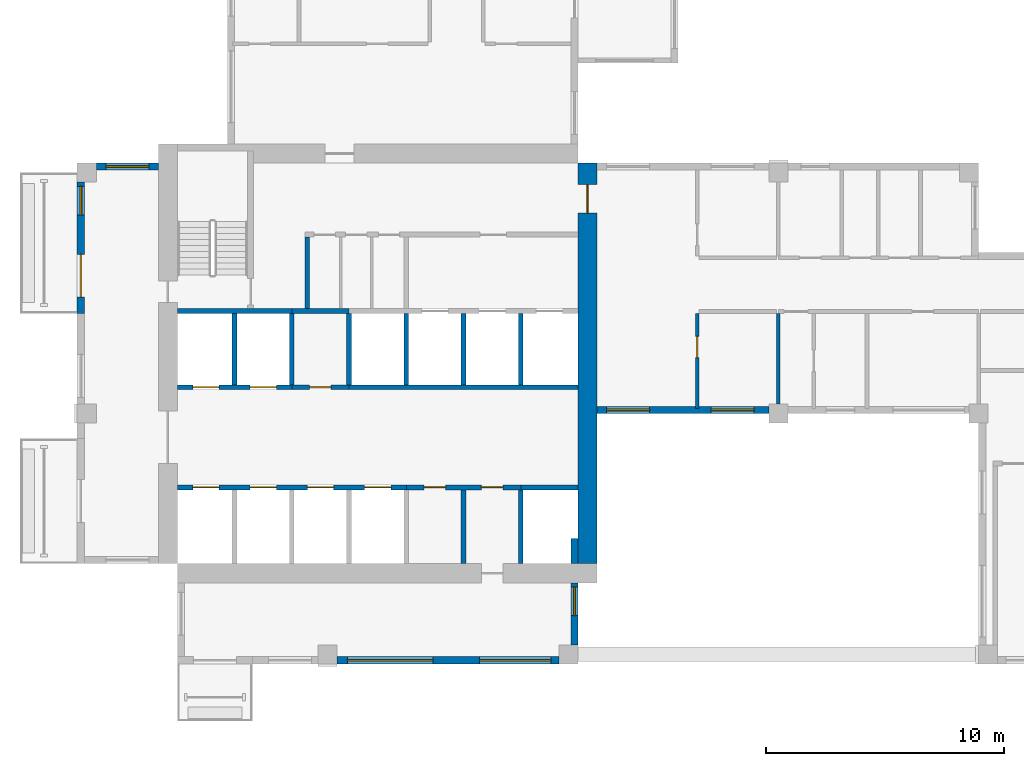
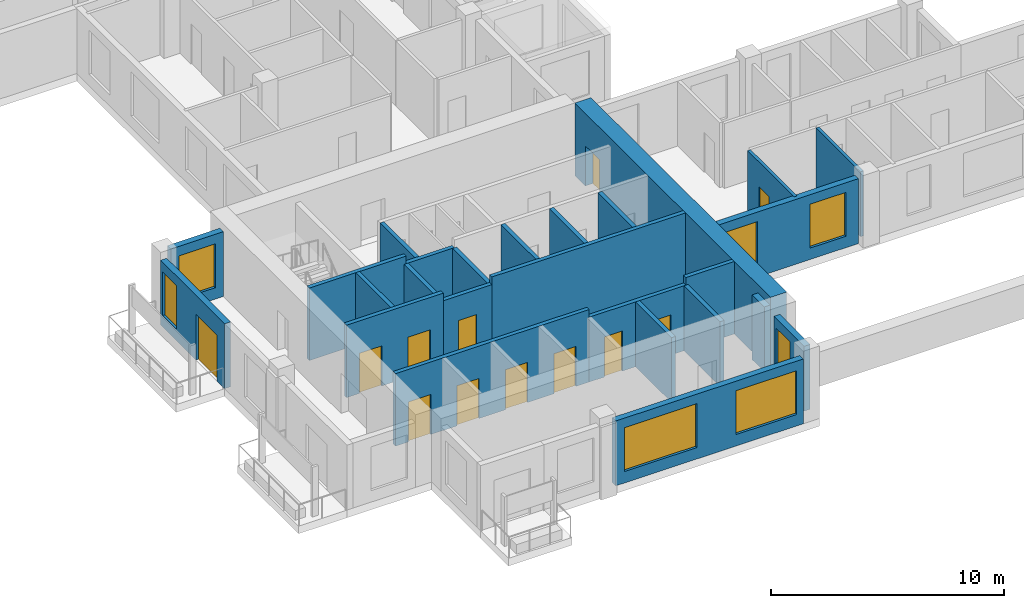
# One storey, part 2 of 11: 26 walls, 12 doors, 7 windows, 19 openings.
"""IFC4 building model written with IfcOpenShell, lengths in metres."""

import ifcopenshell
import ifcopenshell.guid

model = None  # the IFC model being written
_history = None  # IfcOwnerHistory: only IFC2X3 demands one
_inside = {}  # id of a spatial element -> (the spatial element, [elements in it])
_under = {}  # id of a project, library or spatial element -> (it, [spatial elements below it])
_declared = {}  # id of a project -> (the project, [libraries it declares])
_typed = {}  # id of a type object -> (the type object, [elements of that type])
_made_of = {}  # id of a material, layer set ... -> (it, [elements and type objects made of it])


def new_model(schema):
    """Start an empty IFC model of exactly this schema.

    Asked for "IFC4X3", IfcOpenShell would pick the latest addendum, in which some entities
    have other attributes; the version numbers below select the first issue.
    IFC2X3 requires an IfcOwnerHistory on every rooted entity: one is made here for all.
    """
    global model, _history
    if schema == "IFC4X3":
        model = ifcopenshell.file(schema_version=(4, 3, 0, 0))
    else:
        model = ifcopenshell.file(schema=schema)
    _inside.clear()
    _under.clear()
    _declared.clear()
    _typed.clear()
    _made_of.clear()
    _history = None
    if model.schema == "IFC2X3":
        org = make("IfcOrganization", Name="unknown")
        user = make(
            "IfcPersonAndOrganization",
            ThePerson=make("IfcPerson", FamilyName="unknown"),
            TheOrganization=org,
        )
        app = make(
            "IfcApplication",
            ApplicationDeveloper=org,
            Version="unknown",
            ApplicationFullName="unknown",
            ApplicationIdentifier="unknown",
        )
        _history = make(
            "IfcOwnerHistory",
            OwningUser=user,
            OwningApplication=app,
            ChangeAction="ADDED",
            CreationDate=0,
        )
    return model


def make(cls, **values):
    """One entity of the class cls with the attributes given. An attribute that is None is left unset."""
    return model.create_entity(
        cls, **{name: value for name, value in values.items() if value is not None}
    )


def rooted(cls, **values):
    """An entity with a GlobalId (a new one), such as an element, a storey or a relation."""
    return make(cls, GlobalId=ifcopenshell.guid.new(), OwnerHistory=_history, **values)


def si_unit(unit_type, name, prefix=None):
    """IfcSIUnit, for example si_unit("LENGTHUNIT", "METRE", prefix="MILLI")."""
    return make("IfcSIUnit", UnitType=unit_type, Prefix=prefix, Name=name)


def assignment(units):
    """IfcUnitAssignment: the units of a project."""
    return None if units is None else make("IfcUnitAssignment", Units=units)


def point(xyz):
    """IfcCartesianPoint."""
    return None if xyz is None else make("IfcCartesianPoint", Coordinates=xyz)


def direction(xyz):
    """IfcDirection."""
    return None if xyz is None else make("IfcDirection", DirectionRatios=xyz)


def frame(location, z_axis=None, x_axis=None):
    """IfcAxis2Placement3D, a coordinate frame: its origin and axes. An axis left out is left unset."""
    return make(
        "IfcAxis2Placement3D",
        Location=point(location),
        Axis=direction(z_axis),
        RefDirection=direction(x_axis),
    )


def frame_2d(location, x_axis=None):
    """IfcAxis2Placement2D, a coordinate frame in the plane: its origin and x axis."""
    return make(
        "IfcAxis2Placement2D", Location=point(location), RefDirection=direction(x_axis)
    )


def origin():
    """The frame at (0, 0, 0) with its axes left unset."""
    return frame((0.0, 0.0, 0.0))


def place(relative_to, where):
    """IfcLocalPlacement: puts the frame where relative to a parent placement (None: the world)."""
    return make(
        "IfcLocalPlacement", PlacementRelTo=relative_to, RelativePlacement=where
    )


def context(
    kind, dimensions, precision=None, world=None, true_north=None, identifier=None
):
    """IfcGeometricRepresentationContext, for example the 3D "Model" context."""
    return make(
        "IfcGeometricRepresentationContext",
        ContextIdentifier=identifier,
        ContextType=kind,
        CoordinateSpaceDimension=dimensions,
        Precision=precision,
        WorldCoordinateSystem=world,
        TrueNorth=true_north,
    )


def subcontext(parent, identifier, kind, view, scale=None):
    """IfcGeometricRepresentationSubContext, for example "Body" below "Model"."""
    return make(
        "IfcGeometricRepresentationSubContext",
        ContextIdentifier=identifier,
        ContextType=kind,
        ParentContext=parent,
        TargetScale=scale,
        TargetView=view,
    )


def project(units=None, contexts=None):
    """IfcProject with its units and contexts."""
    return rooted(
        "IfcProject",
        Name="project",
        RepresentationContexts=contexts,
        UnitsInContext=assignment(units),
    )


def spatial(cls, under=None, at=None, **own):
    """A site, building, storey or space (cls), placed at a placement, below another one or the project."""
    s = rooted(cls, ObjectPlacement=at, **own)
    if under is not None:
        _under.setdefault(under.id(), (under, []))[1].append(s)
    return s


def profile(cls, at=None, kind="AREA", **sizes):
    """A parametric profile (cls). Its sizes go by their IFC names, for example OverallWidth=200.0."""
    return make(cls, ProfileType=kind, Position=at, **sizes)


def rectangle(**sizes):
    """IfcRectangleProfileDef."""
    return profile("IfcRectangleProfileDef", **sizes)


def extrude(swept, where, along, depth):
    """IfcExtrudedAreaSolid: the profile swept, set in the frame where, extruded along a direction by depth."""
    return make(
        "IfcExtrudedAreaSolid",
        SweptArea=swept,
        Position=where,
        ExtrudedDirection=direction(along),
        Depth=depth,
    )


def shape(context_of_items, identifier, shape_type, items):
    """IfcShapeRepresentation: the items that make up one representation, for example the "Body"."""
    return make(
        "IfcShapeRepresentation",
        ContextOfItems=context_of_items,
        RepresentationIdentifier=identifier,
        RepresentationType=shape_type,
        Items=items,
    )


def source(mapping_origin, context_of_items, identifier, shape_type, items):
    """IfcRepresentationMap: a shape defined once, which mapped items show again and again."""
    return make(
        "IfcRepresentationMap",
        MappingOrigin=mapping_origin,
        MappedRepresentation=shape(context_of_items, identifier, shape_type, items),
    )


def transform(
    local_origin,
    x_axis=None,
    y_axis=None,
    z_axis=None,
    scale=None,
    scale2=None,
    scale3=None,
    uniform=True,
):
    """IfcCartesianTransformationOperator3D, or its non-uniform kind. x_axis, y_axis, z_axis: its Axis1, 2, 3."""
    if uniform:
        return make(
            "IfcCartesianTransformationOperator3D",
            Axis1=direction(x_axis),
            Axis2=direction(y_axis),
            LocalOrigin=point(local_origin),
            Scale=scale,
            Axis3=direction(z_axis),
        )
    return make(
        "IfcCartesianTransformationOperator3DnonUniform",
        Axis1=direction(x_axis),
        Axis2=direction(y_axis),
        LocalOrigin=point(local_origin),
        Scale=scale,
        Axis3=direction(z_axis),
        Scale2=scale2,
        Scale3=scale3,
    )


def mapped(mapping_source, mapping_target):
    """IfcMappedItem: shows the shape of a source again, moved by a transform."""
    return make(
        "IfcMappedItem", MappingSource=mapping_source, MappingTarget=mapping_target
    )


def material(Name=None, Category=None):
    """IfcMaterial."""
    return make("IfcMaterial", Name=Name, Category=Category)


def layer(
    of_material, thickness, ventilated=None, Name=None, Category=None, Priority=None
):
    """IfcMaterialLayer: one layer of a wall or slab, of a material (None: an air gap)."""
    return make(
        "IfcMaterialLayer",
        Material=of_material,
        LayerThickness=thickness,
        IsVentilated=ventilated,
        Name=Name,
        Category=Category,
        Priority=Priority,
    )


def layer_set(layers, Name=None):
    """IfcMaterialLayerSet."""
    return make("IfcMaterialLayerSet", MaterialLayers=layers, LayerSetName=Name)


def made_of(thing, what):
    """Note that an element or type object is made of a material, layer set ...; save() writes the relation."""
    if what is not None:
        _made_of.setdefault(what.id(), (what, []))[1].append(thing)
    return thing


def type_object(cls, material=None, **own):
    """A type object (cls), such as IfcWallType, which elements share."""
    return made_of(rooted(cls, **own), material)


def element(
    cls,
    number,
    at=None,
    inside=None,
    cuts=None,
    type_object=None,
    material=None,
    context=None,
    identifier="Body",
    shape_type=None,
    held_by="IfcProductDefinitionShape",
    body=None,
    shapes=None,
    **own,
):
    """One element of the class cls, such as IfcWall. Its Tag is "e" and its number.

    at: its placement. inside: the storey or other place that contains it. cuts: it is an
    opening in that element (IfcRelVoidsElement). A single representation is given by context,
    identifier, shape_type and body (its items); several are given by shapes. held_by: the class
    of the entity that holds the representations. save() writes the other relations.
    """
    e = rooted(cls, Tag="e%d" % number, ObjectPlacement=at, **own)
    if body is not None:
        shapes = [shape(context, identifier, shape_type, body)]
    if shapes is not None:
        e.Representation = make(held_by, Representations=shapes)
    if inside is not None:
        _inside.setdefault(inside.id(), (inside, []))[1].append(e)
    if cuts is not None:
        rooted(
            "IfcRelVoidsElement", RelatingBuildingElement=cuts, RelatedOpeningElement=e
        )
    if type_object is not None:
        _typed.setdefault(type_object.id(), (type_object, []))[1].append(e)
    return made_of(e, material)


def fill(opening, filler):
    """IfcRelFillsElement: the door or window that sits in an opening."""
    return rooted(
        "IfcRelFillsElement",
        RelatingOpeningElement=opening,
        RelatedBuildingElement=filler,
    )


def aggregate(whole, parts):
    """IfcRelAggregates: a whole, such as a stair, and the parts it consists of."""
    return rooted("IfcRelAggregates", RelatingObject=whole, RelatedObjects=parts)


def save(model, path):
    """Write the relations noted so far, then the file.

    IfcRelAggregates (storeys below a building ...), IfcRelContainedInSpatialStructure (elements
    in a storey), IfcRelDefinesByType, IfcRelAssociatesMaterial and IfcRelDeclares: one each for
    every whole, place, type object, material and project.
    """
    for whole, parts in _under.values():
        aggregate(whole, parts)
    for where, things in _inside.values():
        rooted(
            "IfcRelContainedInSpatialStructure",
            RelatedElements=things,
            RelatingStructure=where,
        )
    for kind, things in _typed.values():
        rooted("IfcRelDefinesByType", RelatedObjects=things, RelatingType=kind)
    for what, things in _made_of.values():
        rooted("IfcRelAssociatesMaterial", RelatedObjects=things, RelatingMaterial=what)
    for by, libraries in _declared.values():
        rooted("IfcRelDeclares", RelatingContext=by, RelatedDefinitions=libraries)
    model.write(path)


model = new_model("IFC4")

# Units and contexts
model_context = context("Model", 3, precision=1e-05, world=origin(), true_north=direction((0.0, 1.0)))
body_context = subcontext(model_context, "Body", "Model", "MODEL_VIEW")
ifc_project = project(units=[si_unit("LENGTHUNIT", "METRE"), si_unit("AREAUNIT", "SQUARE_METRE"), si_unit("VOLUMEUNIT", "CUBIC_METRE"), si_unit("PLANEANGLEUNIT", "RADIAN"), si_unit("MASSUNIT", "GRAM", prefix="KILO")], contexts=[model_context])

# Site, building, storey
site_placement = place(None, origin())
site = spatial("IfcSite", under=ifc_project, at=site_placement, CompositionType="ELEMENT")
building_placement = place(site_placement, origin())
building = spatial("IfcBuilding", under=site, at=building_placement, Name="Aurelian Terraces", CompositionType="ELEMENT")
storey_placement = place(building_placement, frame((0.0, 0.0, 261.4)))
storey = spatial("IfcBuildingStorey", under=building, at=storey_placement, Name="L60", CompositionType="ELEMENT", Elevation=261.4)

# Wall, opening, door
ifc_material_1 = material(Name="Concrete fc' 70 MPa", Category="concrete")
ifc_layer_1 = layer(ifc_material_1, 0.8)
ifc_layer_set_1 = layer_set([ifc_layer_1], Name="CORE WALL 800 FC70")
wall_type_1 = type_object("IfcWallType", Name="CORE WALL 800 FC70", PredefinedType="SHEAR", material=ifc_layer_set_1)
shared_shape_1 = source(origin(), body_context, "Body", "SweptSolid", [
    extrude(rectangle(XDim=16.8, YDim=0.8, at=frame_2d((8.4, 0.0))), origin(), (0.0, 0.0, 1.0), 3.8),
])
wall_1_placement = place(storey_placement, frame((21.4, 4.2, 0.0), z_axis=(0.0, 0.0, 1.0), x_axis=(0.0, 1.0, 0.0)))
wall_1 = element("IfcWall", 1, at=wall_1_placement, inside=storey, type_object=wall_type_1, Name="Core wall E L60", PredefinedType="SHEAR", context=body_context, shape_type="MappedRepresentation", body=[
    mapped(shared_shape_1, transform((0.0, 0.0, 0.0), scale=1.0)),
])
shared_shape_2 = source(origin(), body_context, "Body", "SweptSolid", [
    extrude(rectangle(XDim=1.2, YDim=2.1, at=frame_2d((0.6, 1.05))), frame((0.0, 0.41, 0.0), z_axis=(0.0, -1.0, 0.0), x_axis=(1.0, 0.0, 0.0)), (0.0, 0.0, 1.0), 0.82),
])
opening_1_placement = place(wall_1_placement, frame((14.7, 0.0, 0.0)))
opening_1 = element("IfcOpeningElement", 2, at=opening_1_placement, cuts=wall_1, Name="Opening 66325", PredefinedType="OPENING", context=body_context, shape_type="MappedRepresentation", body=[
    mapped(shared_shape_2, transform((0.0, 0.0, 0.0), scale=1.0)),
])
ifc_material_2 = material(Name="Steel door leaf", Category="steel")
door_type_1 = type_object("IfcDoorType", Name="Core fire door 1200x2100 right", OperationType="SINGLE_SWING_RIGHT", PredefinedType="DOOR", material=ifc_material_2)
shared_shape_3 = source(origin(), body_context, "Body", "SweptSolid", [
    extrude(rectangle(XDim=1.2, YDim=2.1, at=frame_2d((0.6, 1.05))), frame((0.0, 0.025, 0.0), z_axis=(0.0, -1.0, 0.0), x_axis=(1.0, 0.0, 0.0)), (0.0, 0.0, 1.0), 0.05),
])
door_1_placement = place(opening_1_placement, origin())
door_1 = element("IfcDoor", 3, at=door_1_placement, inside=storey, type_object=door_type_1, Name="Core door 66325", OperationType="SINGLE_SWING_RIGHT", OverallHeight=2.1, OverallWidth=1.2, PredefinedType="DOOR", context=body_context, shape_type="MappedRepresentation", body=[
    mapped(shared_shape_3, transform((0.0, 0.0, 0.0), scale=1.0)),
])
fill(opening_1, door_1)

# Wall
ifc_material_3 = material(Name="Terracotta rainscreen cladding", Category="masonry")
ifc_layer_2 = layer(ifc_material_3, 0.3)
ifc_layer_set_2 = layer_set([ifc_layer_2], Name="EW-300")
wall_type_2 = type_object("IfcWallType", Name="EW-300", PredefinedType="STANDARD", material=ifc_layer_set_2)
shared_shape_4 = source(origin(), body_context, "Body", "SweptSolid", [
    extrude(rectangle(XDim=1.05, YDim=0.3, at=frame_2d((0.525, 0.0))), origin(), (0.0, 0.0, 1.0), 3.4),
])
wall_2_placement = place(storey_placement, frame((20.85, 4.2, 0.0), z_axis=(0.0, 0.0, 1.0), x_axis=(0.0, 1.0, 0.0)))
element("IfcWall", 4, at=wall_2_placement, inside=storey, type_object=wall_type_2, Name="External wall L60 F02.4", PredefinedType="STANDARD", context=body_context, shape_type="MappedRepresentation", body=[
    mapped(shared_shape_4, transform((0.0, 0.0, 0.0), scale=1.0)),
])

# Wall, openings, windows
shared_shape_5 = source(origin(), body_context, "Body", "SweptSolid", [
    extrude(rectangle(XDim=7.2, YDim=0.3, at=frame_2d((3.6, 0.0))), origin(), (0.0, 0.0, 1.0), 3.4),
])
wall_3_placement = place(storey_placement, frame((21.8, 10.65, 0.0), z_axis=(0.0, 0.0, 1.0), x_axis=(1.0, 0.0, 0.0)))
wall_3 = element("IfcWall", 5, at=wall_3_placement, inside=storey, type_object=wall_type_2, Name="External wall L60 F03.6", PredefinedType="STANDARD", context=body_context, shape_type="MappedRepresentation", body=[
    mapped(shared_shape_5, transform((0.0, 0.0, 0.0), scale=1.0)),
])
shared_shape_6 = source(origin(), body_context, "Body", "SweptSolid", [
    extrude(rectangle(XDim=1.8, YDim=2.3, at=frame_2d((0.9, 1.15))), frame((0.0, 0.16, 0.0), z_axis=(0.0, -1.0, 0.0), x_axis=(1.0, 0.0, 0.0)), (0.0, 0.0, 1.0), 0.32),
])
opening_2_placement = place(wall_3_placement, frame((0.4, 0.0, 0.6)))
opening_2 = element("IfcOpeningElement", 6, at=opening_2_placement, cuts=wall_3, Name="Opening W1823", PredefinedType="OPENING", context=body_context, shape_type="MappedRepresentation", body=[
    mapped(shared_shape_6, transform((0.0, 0.0, 0.0), scale=1.0)),
])
opening_3_placement = place(wall_3_placement, frame((4.7875, 0.0, 0.6)))
opening_3 = element("IfcOpeningElement", 7, at=opening_3_placement, cuts=wall_3, Name="Opening W1823", PredefinedType="OPENING", context=body_context, shape_type="MappedRepresentation", body=[
    mapped(shared_shape_6, transform((0.0, 0.0, 0.0), scale=1.0)),
])
ifc_material_4 = material(Name="Clear glazing", Category="glass")
window_type_1 = type_object("IfcWindowType", Name="W-1800x2300", PartitioningType="SINGLE_PANEL", PredefinedType="WINDOW", material=ifc_material_4)
shared_shape_7 = source(origin(), body_context, "Body", "SweptSolid", [
    extrude(rectangle(XDim=1.8, YDim=2.3, at=frame_2d((0.9, 1.15))), frame((0.0, 0.03, 0.0), z_axis=(0.0, -1.0, 0.0), x_axis=(1.0, 0.0, 0.0)), (0.0, 0.0, 1.0), 0.06),
])
window_1_placement = place(opening_2_placement, origin())
window_1 = element("IfcWindow", 8, at=window_1_placement, inside=storey, type_object=window_type_1, Name="Window L60 L60-F03-06-0", OverallHeight=2.3, OverallWidth=1.8, PartitioningType="SINGLE_PANEL", PredefinedType="WINDOW", context=body_context, shape_type="MappedRepresentation", body=[
    mapped(shared_shape_7, transform((0.0, 0.0, 0.0), scale=1.0)),
])
fill(opening_2, window_1)
window_2_placement = place(opening_3_placement, origin())
window_2 = element("IfcWindow", 9, at=window_2_placement, inside=storey, type_object=window_type_1, Name="Window L60 L60-F03-06-1", OverallHeight=2.3, OverallWidth=1.8, PartitioningType="SINGLE_PANEL", PredefinedType="WINDOW", context=body_context, shape_type="MappedRepresentation", body=[
    mapped(shared_shape_7, transform((0.0, 0.0, 0.0), scale=1.0)),
])
fill(opening_3, window_2)

# Wall, opening, window
shared_shape_8 = source(origin(), body_context, "Body", "SweptSolid", [
    extrude(rectangle(XDim=2.6, YDim=0.3, at=frame_2d((1.3, 0.0))), origin(), (0.0, 0.0, 1.0), 3.4),
])
wall_4_placement = place(storey_placement, frame((20.85, 0.8, 0.0), z_axis=(0.0, 0.0, 1.0), x_axis=(0.0, 1.0, 0.0)))
wall_4 = element("IfcWall", 10, at=wall_4_placement, inside=storey, type_object=wall_type_2, Name="External wall L60 F02.4", PredefinedType="STANDARD", context=body_context, shape_type="MappedRepresentation", body=[
    mapped(shared_shape_8, transform((0.0, 0.0, 0.0), scale=1.0)),
])
shared_shape_9 = source(origin(), body_context, "Body", "SweptSolid", [
    extrude(rectangle(XDim=1.2, YDim=2.3, at=frame_2d((0.6, 1.15))), frame((0.0, 0.16, 0.0), z_axis=(0.0, -1.0, 0.0), x_axis=(1.0, 0.0, 0.0)), (0.0, 0.0, 1.0), 0.32),
])
opening_4_placement = place(wall_4_placement, frame((1.225, 0.0, 0.6)))
opening_4 = element("IfcOpeningElement", 11, at=opening_4_placement, cuts=wall_4, Name="Opening W1223", PredefinedType="OPENING", context=body_context, shape_type="MappedRepresentation", body=[
    mapped(shared_shape_9, transform((0.0, 0.0, 0.0), scale=1.0)),
])
window_type_2 = type_object("IfcWindowType", Name="W-1200x2300", PartitioningType="SINGLE_PANEL", PredefinedType="WINDOW", material=ifc_material_4)
shared_shape_10 = source(origin(), body_context, "Body", "SweptSolid", [
    extrude(rectangle(XDim=1.2, YDim=2.3, at=frame_2d((0.6, 1.15))), frame((0.0, 0.03, 0.0), z_axis=(0.0, -1.0, 0.0), x_axis=(1.0, 0.0, 0.0)), (0.0, 0.0, 1.0), 0.06),
])
window_3_placement = place(opening_4_placement, origin())
window_3 = element("IfcWindow", 12, at=window_3_placement, inside=storey, type_object=window_type_2, Name="Window L60 L60-F02-04-0", OverallHeight=2.3, OverallWidth=1.2, PartitioningType="SINGLE_PANEL", PredefinedType="WINDOW", context=body_context, shape_type="MappedRepresentation", body=[
    mapped(shared_shape_10, transform((0.0, 0.0, 0.0), scale=1.0)),
])
fill(opening_4, window_3)

wall_5_placement = place(storey_placement, frame((3.4, 20.85, 0.0), z_axis=(0.0, 0.0, 1.0), x_axis=(-1.0, 0.0, 0.0)))
wall_5 = element("IfcWall", 13, at=wall_5_placement, inside=storey, type_object=wall_type_2, Name="External wall L60 F23.36", PredefinedType="STANDARD", context=body_context, shape_type="MappedRepresentation", body=[
    mapped(shared_shape_8, transform((0.0, 0.0, 0.0), scale=1.0)),
])
opening_5_placement = place(wall_5_placement, frame((0.4, 0.0, 0.6)))
opening_5 = element("IfcOpeningElement", 14, at=opening_5_placement, cuts=wall_5, Name="Opening W1823", PredefinedType="OPENING", context=body_context, shape_type="MappedRepresentation", body=[
    mapped(shared_shape_6, transform((0.0, 0.0, 0.0), scale=1.0)),
])
window_4_placement = place(opening_5_placement, origin())
window_4 = element("IfcWindow", 15, at=window_4_placement, inside=storey, type_object=window_type_1, Name="Window L60 L60-F23-36-0", OverallHeight=2.3, OverallWidth=1.8, PartitioningType="SINGLE_PANEL", PredefinedType="WINDOW", context=body_context, shape_type="MappedRepresentation", body=[
    mapped(shared_shape_7, transform((0.0, 0.0, 0.0), scale=1.0)),
])
fill(opening_5, window_4)

# Wall, openings, windows
shared_shape_11 = source(origin(), body_context, "Body", "SweptSolid", [
    extrude(rectangle(XDim=9.3, YDim=0.3, at=frame_2d((4.65, 0.0))), origin(), (0.0, 0.0, 1.0), 3.4),
])
wall_6_placement = place(storey_placement, frame((10.9, 0.15, 0.0), z_axis=(0.0, 0.0, 1.0), x_axis=(1.0, 0.0, 0.0)))
wall_6 = element("IfcWall", 16, at=wall_6_placement, inside=storey, type_object=wall_type_2, Name="External wall L60 F01.3", PredefinedType="STANDARD", context=body_context, shape_type="MappedRepresentation", body=[
    mapped(shared_shape_11, transform((0.0, 0.0, 0.0), scale=1.0)),
])
shared_shape_12 = source(origin(), body_context, "Body", "SweptSolid", [
    extrude(rectangle(XDim=3.6, YDim=2.3, at=frame_2d((1.8, 1.15))), frame((0.0, 0.16, 0.0), z_axis=(0.0, -1.0, 0.0), x_axis=(1.0, 0.0, 0.0)), (0.0, 0.0, 1.0), 0.32),
])
opening_6_placement = place(wall_6_placement, frame((0.425, 0.0, 0.6)))
opening_6 = element("IfcOpeningElement", 17, at=opening_6_placement, cuts=wall_6, Name="Opening W3623", PredefinedType="OPENING", context=body_context, shape_type="MappedRepresentation", body=[
    mapped(shared_shape_12, transform((0.0, 0.0, 0.0), scale=1.0)),
])
shared_shape_13 = source(origin(), body_context, "Body", "SweptSolid", [
    extrude(rectangle(XDim=3.0, YDim=2.3, at=frame_2d((1.5, 1.15))), frame((0.0, 0.16, 0.0), z_axis=(0.0, -1.0, 0.0), x_axis=(1.0, 0.0, 0.0)), (0.0, 0.0, 1.0), 0.32),
])
opening_7_placement = place(wall_6_placement, frame((5.975, 0.0, 0.6)))
opening_7 = element("IfcOpeningElement", 18, at=opening_7_placement, cuts=wall_6, Name="Opening W3023", PredefinedType="OPENING", context=body_context, shape_type="MappedRepresentation", body=[
    mapped(shared_shape_13, transform((0.0, 0.0, 0.0), scale=1.0)),
])
window_type_3 = type_object("IfcWindowType", Name="W-3600x2300", PartitioningType="SINGLE_PANEL", PredefinedType="WINDOW", material=ifc_material_4)
shared_shape_14 = source(origin(), body_context, "Body", "SweptSolid", [
    extrude(rectangle(XDim=3.6, YDim=2.3, at=frame_2d((1.8, 1.15))), frame((0.0, 0.03, 0.0), z_axis=(0.0, -1.0, 0.0), x_axis=(1.0, 0.0, 0.0)), (0.0, 0.0, 1.0), 0.06),
])
window_5_placement = place(opening_6_placement, origin())
window_5 = element("IfcWindow", 19, at=window_5_placement, inside=storey, type_object=window_type_3, Name="Window L60 L60-F01-03-0", OverallHeight=2.3, OverallWidth=3.6, PartitioningType="SINGLE_PANEL", PredefinedType="WINDOW", context=body_context, shape_type="MappedRepresentation", body=[
    mapped(shared_shape_14, transform((0.0, 0.0, 0.0), scale=1.0)),
])
fill(opening_6, window_5)
window_type_4 = type_object("IfcWindowType", Name="W-3000x2300", PartitioningType="SINGLE_PANEL", PredefinedType="WINDOW", material=ifc_material_4)
shared_shape_15 = source(origin(), body_context, "Body", "SweptSolid", [
    extrude(rectangle(XDim=3.0, YDim=2.3, at=frame_2d((1.5, 1.15))), frame((0.0, 0.03, 0.0), z_axis=(0.0, -1.0, 0.0), x_axis=(1.0, 0.0, 0.0)), (0.0, 0.0, 1.0), 0.06),
])
window_6_placement = place(opening_7_placement, origin())
window_6 = element("IfcWindow", 20, at=window_6_placement, inside=storey, type_object=window_type_4, Name="Window L60 L60-F01-03-1", OverallHeight=2.3, OverallWidth=3.0, PartitioningType="SINGLE_PANEL", PredefinedType="WINDOW", context=body_context, shape_type="MappedRepresentation", body=[
    mapped(shared_shape_15, transform((0.0, 0.0, 0.0), scale=1.0)),
])
fill(opening_7, window_6)

# Wall, openings, door, window
shared_shape_16 = source(origin(), body_context, "Body", "SweptSolid", [
    extrude(rectangle(XDim=5.5, YDim=0.3, at=frame_2d((2.75, 0.0))), origin(), (0.0, 0.0, 1.0), 3.4),
])
wall_7_placement = place(storey_placement, frame((0.15, 20.2, 0.0), z_axis=(0.0, 0.0, 1.0), x_axis=(0.0, -1.0, 0.0)))
wall_7 = element("IfcWall", 21, at=wall_7_placement, inside=storey, type_object=wall_type_2, Name="External wall L60 F24.37", PredefinedType="STANDARD", context=body_context, shape_type="MappedRepresentation", body=[
    mapped(shared_shape_16, transform((0.0, 0.0, 0.0), scale=1.0)),
])
shared_shape_17 = source(origin(), body_context, "Body", "SweptSolid", [
    extrude(rectangle(XDim=1.8, YDim=2.4, at=frame_2d((0.9, 1.2))), frame((0.0, 0.16, 0.0), z_axis=(0.0, -1.0, 0.0), x_axis=(1.0, 0.0, 0.0)), (0.0, 0.0, 1.0), 0.32),
])
opening_8_placement = place(wall_7_placement, frame((3.025, 0.0, 0.0)))
opening_8 = element("IfcOpeningElement", 22, at=opening_8_placement, cuts=wall_7, Name="Opening 86004", PredefinedType="OPENING", context=body_context, shape_type="MappedRepresentation", body=[
    mapped(shared_shape_17, transform((0.0, 0.0, 0.0), scale=1.0)),
])
opening_9_placement = place(wall_7_placement, frame((0.175, 0.0, 0.6)))
opening_9 = element("IfcOpeningElement", 23, at=opening_9_placement, cuts=wall_7, Name="Opening W1223", PredefinedType="OPENING", context=body_context, shape_type="MappedRepresentation", body=[
    mapped(shared_shape_9, transform((0.0, 0.0, 0.0), scale=1.0)),
])
door_type_2 = type_object("IfcDoorType", Name="BD-1800x2400", OperationType="SLIDING_TO_LEFT", PredefinedType="DOOR", material=ifc_material_4)
shared_shape_18 = source(origin(), body_context, "Body", "SweptSolid", [
    extrude(rectangle(XDim=1.8, YDim=2.4, at=frame_2d((0.9, 1.2))), frame((0.0, 0.025, 0.0), z_axis=(0.0, -1.0, 0.0), x_axis=(1.0, 0.0, 0.0)), (0.0, 0.0, 1.0), 0.05),
])
door_2_placement = place(opening_8_placement, origin())
door_2 = element("IfcDoor", 24, at=door_2_placement, inside=storey, type_object=door_type_2, Name="Balcony door L60 F24.37", OperationType="SLIDING_TO_LEFT", OverallHeight=2.4, OverallWidth=1.8, PredefinedType="DOOR", context=body_context, shape_type="MappedRepresentation", body=[
    mapped(shared_shape_18, transform((0.0, 0.0, 0.0), scale=1.0)),
])
fill(opening_8, door_2)
window_7_placement = place(opening_9_placement, origin())
window_7 = element("IfcWindow", 25, at=window_7_placement, inside=storey, type_object=window_type_2, Name="Window L60 L60-F24-37-0", OverallHeight=2.3, OverallWidth=1.2, PartitioningType="SINGLE_PANEL", PredefinedType="WINDOW", context=body_context, shape_type="MappedRepresentation", body=[
    mapped(shared_shape_10, transform((0.0, 0.0, 0.0), scale=1.0)),
])
fill(opening_9, window_7)

# Walls
ifc_material_5 = material(Name="Concrete fc' 40 MPa", Category="concrete")
ifc_layer_3 = layer(ifc_material_5, 0.2)
ifc_layer_set_3 = layer_set([ifc_layer_3], Name="Lift shaft wall 200")
wall_type_3 = type_object("IfcWallType", Name="Lift shaft wall 200", PredefinedType="SOLIDWALL", material=ifc_layer_set_3)
shared_shape_19 = source(origin(), body_context, "Body", "SweptSolid", [
    extrude(rectangle(XDim=3.1, YDim=0.2, at=frame_2d((1.55, 0.0))), origin(), (0.0, 0.0, 1.0), 3.4),
])
wall_8_placement = place(storey_placement, frame((18.6, 4.2, 0.0), z_axis=(0.0, 0.0, 1.0), x_axis=(0.0, 1.0, 0.0)))
element("IfcWall", 26, at=wall_8_placement, inside=storey, type_object=wall_type_3, Name="L60 core wall CD-A6", PredefinedType="SOLIDWALL", context=body_context, shape_type="MappedRepresentation", body=[
    mapped(shared_shape_19, transform((0.0, 0.0, 0.0), scale=1.0)),
])
shared_shape_20 = source(origin(), body_context, "Body", "SweptSolid", [
    extrude(rectangle(XDim=3.0, YDim=0.2, at=frame_2d((1.5, 0.0))), origin(), (0.0, 0.0, 1.0), 3.4),
])
for number, where, z_axis, x_axis, name in (
    (27, (9.0, 11.7, 0.0), (0.0, 0.0, 1.0), (0.0, 1.0, 0.0), "L60 core wall CD-B2"),
    (28, (11.4, 11.7, 0.0), (0.0, 0.0, 1.0), (0.0, 1.0, 0.0), "L60 core wall CD-B3"),
):
    element("IfcWall", number, at=place(storey_placement, frame(where, z_axis=z_axis, x_axis=x_axis)), inside=storey, type_object=wall_type_3, Name=name, PredefinedType="SOLIDWALL", context=body_context, shape_type="MappedRepresentation", body=[
        mapped(shared_shape_20, transform((0.0, 0.0, 0.0), scale=1.0)),
    ])
shared_shape_21 = source(origin(), body_context, "Body", "SweptSolid", [
    extrude(rectangle(XDim=3.0, YDim=0.2, at=frame_2d((1.5, 0.0))), origin(), (0.0, 0.0, 1.0), 3.8),
])
for number, where, z_axis, x_axis, name in (
    (29, (6.6, 11.7, 0.0), (0.0, 0.0, 1.0), (0.0, 1.0, 0.0), "L60 core wall CD-B1"),
    (30, (13.8, 11.7, 0.0), (0.0, 0.0, 1.0), (0.0, 1.0, 0.0), "L60 core wall CD-B4"),
    (31, (16.2, 11.7, 0.0), (0.0, 0.0, 1.0), (0.0, 1.0, 0.0), "L60 core wall CD-B5"),
    (32, (18.6, 11.7, 0.0), (0.0, 0.0, 1.0), (0.0, 1.0, 0.0), "L60 core wall CD-B6"),
):
    element("IfcWall", number, at=place(storey_placement, frame(where, z_axis=z_axis, x_axis=x_axis)), inside=storey, type_object=wall_type_3, Name=name, PredefinedType="SOLIDWALL", context=body_context, shape_type="MappedRepresentation", body=[
        mapped(shared_shape_21, transform((0.0, 0.0, 0.0), scale=1.0)),
    ])

# Wall, openings, doors
shared_shape_22 = source(origin(), body_context, "Body", "SweptSolid", [
    extrude(rectangle(XDim=9.6, YDim=0.2, at=frame_2d((4.8, 0.0))), origin(), (0.0, 0.0, 1.0), 3.8),
])
wall_9_placement = place(storey_placement, frame((4.2, 7.4, 0.0), z_axis=(0.0, 0.0, 1.0), x_axis=(1.0, 0.0, 0.0)))
wall_9 = element("IfcWall", 33, at=wall_9_placement, inside=storey, type_object=wall_type_3, Name="L60 core wall CF-AF1", PredefinedType="SOLIDWALL", context=body_context, shape_type="MappedRepresentation", body=[
    mapped(shared_shape_22, transform((0.0, 0.0, 0.0), scale=1.0)),
])
shared_shape_23 = source(origin(), body_context, "Body", "SweptSolid", [
    extrude(rectangle(XDim=1.1, YDim=2.1, at=frame_2d((0.55, 1.05))), frame((0.0, 0.11, 0.0), z_axis=(0.0, -1.0, 0.0), x_axis=(1.0, 0.0, 0.0)), (0.0, 0.0, 1.0), 0.22),
])
opening_10_placement = place(wall_9_placement, frame((0.65, 0.0, 0.0)))
opening_10 = element("IfcOpeningElement", 34, at=opening_10_placement, cuts=wall_9, Name="Opening 66300", PredefinedType="OPENING", context=body_context, shape_type="MappedRepresentation", body=[
    mapped(shared_shape_23, transform((0.0, 0.0, 0.0), scale=1.0)),
])
opening_11_placement = place(wall_9_placement, frame((3.05, 0.0, 0.0)))
opening_11 = element("IfcOpeningElement", 35, at=opening_11_placement, cuts=wall_9, Name="Opening 66301", PredefinedType="OPENING", context=body_context, shape_type="MappedRepresentation", body=[
    mapped(shared_shape_23, transform((0.0, 0.0, 0.0), scale=1.0)),
])
opening_12_placement = place(wall_9_placement, frame((5.45, 0.0, 0.0)))
opening_12 = element("IfcOpeningElement", 36, at=opening_12_placement, cuts=wall_9, Name="Opening 66302", PredefinedType="OPENING", context=body_context, shape_type="MappedRepresentation", body=[
    mapped(shared_shape_23, transform((0.0, 0.0, 0.0), scale=1.0)),
])
opening_13_placement = place(wall_9_placement, frame((7.85, 0.0, 0.0)))
opening_13 = element("IfcOpeningElement", 37, at=opening_13_placement, cuts=wall_9, Name="Opening 66303", PredefinedType="OPENING", context=body_context, shape_type="MappedRepresentation", body=[
    mapped(shared_shape_23, transform((0.0, 0.0, 0.0), scale=1.0)),
])
ifc_material_6 = material(Name="Stainless steel", Category="steel")
door_type_3 = type_object("IfcDoorType", Name="Lift landing door 1100x2100", OperationType="SLIDING_TO_LEFT", PredefinedType="DOOR", material=ifc_material_6)
shared_shape_24 = source(origin(), body_context, "Body", "SweptSolid", [
    extrude(rectangle(XDim=1.1, YDim=2.1, at=frame_2d((0.55, 1.05))), frame((0.0, 0.025, 0.0), z_axis=(0.0, -1.0, 0.0), x_axis=(1.0, 0.0, 0.0)), (0.0, 0.0, 1.0), 0.05),
])
door_3_placement = place(opening_10_placement, origin())
door_3 = element("IfcDoor", 38, at=door_3_placement, inside=storey, type_object=door_type_3, Name="Lift landing door LM1 L60", OperationType="SLIDING_TO_LEFT", OverallHeight=2.1, OverallWidth=1.1, PredefinedType="DOOR", context=body_context, shape_type="MappedRepresentation", body=[
    mapped(shared_shape_24, transform((0.0, 0.0, 0.0), scale=1.0)),
])
fill(opening_10, door_3)
door_4_placement = place(opening_11_placement, origin())
door_4 = element("IfcDoor", 39, at=door_4_placement, inside=storey, type_object=door_type_3, Name="Lift landing door LM2 L60", OperationType="SLIDING_TO_LEFT", OverallHeight=2.1, OverallWidth=1.1, PredefinedType="DOOR", context=body_context, shape_type="MappedRepresentation", body=[
    mapped(shared_shape_24, transform((0.0, 0.0, 0.0), scale=1.0)),
])
fill(opening_11, door_4)
door_5_placement = place(opening_12_placement, origin())
door_5 = element("IfcDoor", 40, at=door_5_placement, inside=storey, type_object=door_type_3, Name="Lift landing door LM3 L60", OperationType="SLIDING_TO_LEFT", OverallHeight=2.1, OverallWidth=1.1, PredefinedType="DOOR", context=body_context, shape_type="MappedRepresentation", body=[
    mapped(shared_shape_24, transform((0.0, 0.0, 0.0), scale=1.0)),
])
fill(opening_12, door_5)
door_6_placement = place(opening_13_placement, origin())
door_6 = element("IfcDoor", 41, at=door_6_placement, inside=storey, type_object=door_type_3, Name="Lift landing door LM4 L60", OperationType="SLIDING_TO_LEFT", OverallHeight=2.1, OverallWidth=1.1, PredefinedType="DOOR", context=body_context, shape_type="MappedRepresentation", body=[
    mapped(shared_shape_24, transform((0.0, 0.0, 0.0), scale=1.0)),
])
fill(opening_13, door_6)

# Wall
wall_10_placement = place(storey_placement, frame((11.4, 11.6, 0.0), z_axis=(0.0, 0.0, 1.0), x_axis=(1.0, 0.0, 0.0)))
element("IfcWall", 42, at=wall_10_placement, inside=storey, type_object=wall_type_3, Name="L60 core wall CF-BF3", PredefinedType="SOLIDWALL", context=body_context, shape_type="MappedRepresentation", body=[
    mapped(shared_shape_22, transform((0.0, 0.0, 0.0), scale=1.0)),
])

# Wall, openings, doors
shared_shape_25 = source(origin(), body_context, "Body", "SweptSolid", [
    extrude(rectangle(XDim=4.8, YDim=0.2, at=frame_2d((2.4, 0.0))), origin(), (0.0, 0.0, 1.0), 3.8),
])
wall_11_placement = place(storey_placement, frame((4.2, 11.6, 0.0), z_axis=(0.0, 0.0, 1.0), x_axis=(1.0, 0.0, 0.0)))
wall_11 = element("IfcWall", 43, at=wall_11_placement, inside=storey, type_object=wall_type_3, Name="L60 core wall CF-BF1", PredefinedType="SOLIDWALL", context=body_context, shape_type="MappedRepresentation", body=[
    mapped(shared_shape_25, transform((0.0, 0.0, 0.0), scale=1.0)),
])
opening_14_placement = place(wall_11_placement, frame((0.65, 0.0, 0.0)))
opening_14 = element("IfcOpeningElement", 44, at=opening_14_placement, cuts=wall_11, Name="Opening 66306", PredefinedType="OPENING", context=body_context, shape_type="MappedRepresentation", body=[
    mapped(shared_shape_23, transform((0.0, 0.0, 0.0), scale=1.0)),
])
opening_15_placement = place(wall_11_placement, frame((3.05, 0.0, 0.0)))
opening_15 = element("IfcOpeningElement", 45, at=opening_15_placement, cuts=wall_11, Name="Opening 66307", PredefinedType="OPENING", context=body_context, shape_type="MappedRepresentation", body=[
    mapped(shared_shape_23, transform((0.0, 0.0, 0.0), scale=1.0)),
])
door_7_placement = place(opening_14_placement, origin())
door_7 = element("IfcDoor", 46, at=door_7_placement, inside=storey, type_object=door_type_3, Name="Lift landing door LM5 L60", OperationType="SLIDING_TO_LEFT", OverallHeight=2.1, OverallWidth=1.1, PredefinedType="DOOR", context=body_context, shape_type="MappedRepresentation", body=[
    mapped(shared_shape_24, transform((0.0, 0.0, 0.0), scale=1.0)),
])
fill(opening_14, door_7)
door_8_placement = place(opening_15_placement, origin())
door_8 = element("IfcDoor", 47, at=door_8_placement, inside=storey, type_object=door_type_3, Name="Lift landing door LM6 L60", OperationType="SLIDING_TO_LEFT", OverallHeight=2.1, OverallWidth=1.1, PredefinedType="DOOR", context=body_context, shape_type="MappedRepresentation", body=[
    mapped(shared_shape_24, transform((0.0, 0.0, 0.0), scale=1.0)),
])
fill(opening_15, door_8)

# Wall
wall_12_placement = place(storey_placement, frame((4.2, 14.8, 0.0), z_axis=(0.0, 0.0, 1.0), x_axis=(1.0, 0.0, 0.0)))
element("IfcWall", 48, at=wall_12_placement, inside=storey, type_object=wall_type_3, Name="L60 core wall CF-BB1", PredefinedType="SOLIDWALL", context=body_context, shape_type="MappedRepresentation", body=[
    mapped(shared_shape_25, transform((0.0, 0.0, 0.0), scale=1.0)),
])

# Wall, opening, door
shared_shape_26 = source(origin(), body_context, "Body", "SweptSolid", [
    extrude(rectangle(XDim=2.4, YDim=0.2, at=frame_2d((1.2, 0.0))), origin(), (0.0, 0.0, 1.0), 3.4),
])
wall_13_placement = place(storey_placement, frame((9.0, 11.6, 0.0), z_axis=(0.0, 0.0, 1.0), x_axis=(1.0, 0.0, 0.0)))
wall_13 = element("IfcWall", 49, at=wall_13_placement, inside=storey, type_object=wall_type_3, Name="L60 core wall CF-BF2", PredefinedType="SOLIDWALL", context=body_context, shape_type="MappedRepresentation", body=[
    mapped(shared_shape_26, transform((0.0, 0.0, 0.0), scale=1.0)),
])
shared_shape_27 = source(origin(), body_context, "Body", "SweptSolid", [
    extrude(rectangle(XDim=0.9, YDim=2.1, at=frame_2d((0.45, 1.05))), frame((0.0, 0.11, 0.0), z_axis=(0.0, -1.0, 0.0), x_axis=(1.0, 0.0, 0.0)), (0.0, 0.0, 1.0), 0.22),
])
opening_16_placement = place(wall_13_placement, frame((0.75, 0.0, 0.0)))
opening_16 = element("IfcOpeningElement", 50, at=opening_16_placement, cuts=wall_13, Name="Opening 66308", PredefinedType="OPENING", context=body_context, shape_type="MappedRepresentation", body=[
    mapped(shared_shape_27, transform((0.0, 0.0, 0.0), scale=1.0)),
])
door_type_4 = type_object("IfcDoorType", Name="Core service door 900x2100 right", OperationType="SINGLE_SWING_RIGHT", PredefinedType="DOOR", material=ifc_material_2)
shared_shape_28 = source(origin(), body_context, "Body", "SweptSolid", [
    extrude(rectangle(XDim=0.9, YDim=2.1, at=frame_2d((0.45, 1.05))), frame((0.0, 0.025, 0.0), z_axis=(0.0, -1.0, 0.0), x_axis=(1.0, 0.0, 0.0)), (0.0, 0.0, 1.0), 0.05),
])
door_9_placement = place(opening_16_placement, origin())
door_9 = element("IfcDoor", 51, at=door_9_placement, inside=storey, type_object=door_type_4, Name="Room door 66308", OperationType="SINGLE_SWING_RIGHT", OverallHeight=2.1, OverallWidth=0.9, PredefinedType="DOOR", context=body_context, shape_type="MappedRepresentation", body=[
    mapped(shared_shape_28, transform((0.0, 0.0, 0.0), scale=1.0)),
])
fill(opening_16, door_9)

# Walls
wall_14_placement = place(storey_placement, frame((9.0, 14.8, 0.0), z_axis=(0.0, 0.0, 1.0), x_axis=(1.0, 0.0, 0.0)))
element("IfcWall", 52, at=wall_14_placement, inside=storey, type_object=wall_type_3, Name="L60 core wall CF-BB2", PredefinedType="SOLIDWALL", context=body_context, shape_type="MappedRepresentation", body=[
    mapped(shared_shape_26, transform((0.0, 0.0, 0.0), scale=1.0)),
])
ifc_material_7 = material(Name="Gypsum board on steel studs", Category="steel")
ifc_layer_4 = layer(ifc_material_7, 0.2)
ifc_layer_set_4 = layer_set([ifc_layer_4], Name="Core partition 200")
wall_type_4 = type_object("IfcWallType", Name="Core partition 200", PredefinedType="PARTITIONING", material=ifc_layer_set_4)
shared_shape_29 = source(origin(), body_context, "Body", "SweptSolid", [
    extrude(rectangle(XDim=3.0, YDim=0.2, at=frame_2d((1.5, 0.0))), origin(), (0.0, 0.0, 1.0), 3.4),
])
wall_15_placement = place(storey_placement, frame((9.65, 14.9, 0.0), z_axis=(0.0, 0.0, 1.0), x_axis=(0.0, 1.0, 0.0)))
element("IfcWall", 53, at=wall_15_placement, inside=storey, type_object=wall_type_4, Name="L60 core wall CP-VEST", PredefinedType="PARTITIONING", context=body_context, shape_type="MappedRepresentation", body=[
    mapped(shared_shape_29, transform((0.0, 0.0, 0.0), scale=1.0)),
])

# Wall, openings, doors
shared_shape_30 = source(origin(), body_context, "Body", "SweptSolid", [
    extrude(rectangle(XDim=4.8, YDim=0.2, at=frame_2d((2.4, 0.0))), origin(), (0.0, 0.0, 1.0), 3.4),
])
wall_16_placement = place(storey_placement, frame((13.8, 7.4, 0.0), z_axis=(0.0, 0.0, 1.0), x_axis=(1.0, 0.0, 0.0)))
wall_16 = element("IfcWall", 54, at=wall_16_placement, inside=storey, type_object=wall_type_3, Name="L60 core wall CF-AF2", PredefinedType="SOLIDWALL", context=body_context, shape_type="MappedRepresentation", body=[
    mapped(shared_shape_30, transform((0.0, 0.0, 0.0), scale=1.0)),
])
opening_17_placement = place(wall_16_placement, frame((0.75, 0.0, 0.0)))
opening_17 = element("IfcOpeningElement", 55, at=opening_17_placement, cuts=wall_16, Name="Opening 66304", PredefinedType="OPENING", context=body_context, shape_type="MappedRepresentation", body=[
    mapped(shared_shape_27, transform((0.0, 0.0, 0.0), scale=1.0)),
])
opening_18_placement = place(wall_16_placement, frame((3.15, 0.0, 0.0)))
opening_18 = element("IfcOpeningElement", 56, at=opening_18_placement, cuts=wall_16, Name="Opening 66305", PredefinedType="OPENING", context=body_context, shape_type="MappedRepresentation", body=[
    mapped(shared_shape_27, transform((0.0, 0.0, 0.0), scale=1.0)),
])
door_10_placement = place(opening_17_placement, origin())
door_10 = element("IfcDoor", 57, at=door_10_placement, inside=storey, type_object=door_type_4, Name="Room door 66304", OperationType="SINGLE_SWING_RIGHT", OverallHeight=2.1, OverallWidth=0.9, PredefinedType="DOOR", context=body_context, shape_type="MappedRepresentation", body=[
    mapped(shared_shape_28, transform((0.0, 0.0, 0.0), scale=1.0)),
])
fill(opening_17, door_10)
door_type_5 = type_object("IfcDoorType", Name="Core service door 900x2100", OperationType="SINGLE_SWING_LEFT", PredefinedType="DOOR", material=ifc_material_2)
door_11_placement = place(opening_18_placement, origin())
door_11 = element("IfcDoor", 58, at=door_11_placement, inside=storey, type_object=door_type_5, Name="Room door 66305", OperationType="SINGLE_SWING_LEFT", OverallHeight=2.1, OverallWidth=0.9, PredefinedType="DOOR", context=body_context, shape_type="MappedRepresentation", body=[
    mapped(shared_shape_28, transform((0.0, 0.0, 0.0), scale=1.0)),
])
fill(opening_18, door_11)

# Walls
shared_shape_31 = source(origin(), body_context, "Body", "SweptSolid", [
    extrude(rectangle(XDim=2.4, YDim=0.2, at=frame_2d((1.2, 0.0))), origin(), (0.0, 0.0, 1.0), 3.8),
])
wall_17_placement = place(storey_placement, frame((18.6, 7.4, 0.0), z_axis=(0.0, 0.0, 1.0), x_axis=(1.0, 0.0, 0.0)))
element("IfcWall", 59, at=wall_17_placement, inside=storey, type_object=wall_type_3, Name="L60 core wall CF-AF3", PredefinedType="SOLIDWALL", context=body_context, shape_type="MappedRepresentation", body=[
    mapped(shared_shape_31, transform((0.0, 0.0, 0.0), scale=1.0)),
])
shared_shape_32 = source(origin(), body_context, "Body", "SweptSolid", [
    extrude(rectangle(XDim=3.1, YDim=0.2, at=frame_2d((1.55, 0.0))), origin(), (0.0, 0.0, 1.0), 3.4),
])
wall_18_placement = place(storey_placement, frame((16.2, 4.2, 0.0), z_axis=(0.0, 0.0, 1.0), x_axis=(0.0, 1.0, 0.0)))
element("IfcWall", 60, at=wall_18_placement, inside=storey, type_object=wall_type_4, Name="L60 core wall CS-A5", PredefinedType="PARTITIONING", context=body_context, shape_type="MappedRepresentation", body=[
    mapped(shared_shape_32, transform((0.0, 0.0, 0.0), scale=1.0)),
])

# Wall, opening, door
ifc_layer_5 = layer(ifc_material_7, 0.15)
ifc_layer_set_5 = layer_set([ifc_layer_5], Name="Partition 150")
wall_type_5 = type_object("IfcWallType", Name="Partition 150", PredefinedType="PARTITIONING", material=ifc_layer_set_5)
shared_shape_33 = source(origin(), body_context, "Body", "SweptSolid", [
    extrude(rectangle(XDim=3.995, YDim=0.15, at=frame_2d((1.9975, 0.0))), origin(), (0.0, 0.0, 1.0), 3.4),
])
wall_19_placement = place(storey_placement, frame((26.0, 14.7, 0.0), z_axis=(0.0, 0.0, 1.0), x_axis=(0.0, -1.0, 0.0)))
wall_19 = element("IfcWall", 61, at=wall_19_placement, inside=storey, type_object=wall_type_5, Name="Partition", PredefinedType="PARTITIONING", context=body_context, shape_type="MappedRepresentation", body=[
    mapped(shared_shape_33, transform((0.0, 0.0, 0.0), scale=1.0)),
])
shared_shape_34 = source(origin(), body_context, "Body", "SweptSolid", [
    extrude(rectangle(XDim=0.9, YDim=2.1, at=frame_2d((0.45, 1.05))), frame((0.0, 0.085, 0.0), z_axis=(0.0, -1.0, 0.0), x_axis=(1.0, 0.0, 0.0)), (0.0, 0.0, 1.0), 0.17),
])
opening_19_placement = place(wall_19_placement, frame((0.9625, 0.0, 0.0)))
opening_19 = element("IfcOpeningElement", 62, at=opening_19_placement, cuts=wall_19, Name="Opening 760001", PredefinedType="OPENING", context=body_context, shape_type="MappedRepresentation", body=[
    mapped(shared_shape_34, transform((0.0, 0.0, 0.0), scale=1.0)),
])
ifc_material_8 = material(Name="Timber door leaf", Category="wood")
door_type_6 = type_object("IfcDoorType", Name="Room door 900x2100 left", OperationType="SINGLE_SWING_LEFT", PredefinedType="DOOR", material=ifc_material_8)
door_12_placement = place(opening_19_placement, origin())
door_12 = element("IfcDoor", 63, at=door_12_placement, inside=storey, type_object=door_type_6, Name="Door 760001", OperationType="SINGLE_SWING_LEFT", OverallHeight=2.1, OverallWidth=0.9, PredefinedType="DOOR", context=body_context, shape_type="MappedRepresentation", body=[
    mapped(shared_shape_28, transform((0.0, 0.0, 0.0), scale=1.0)),
])
fill(opening_19, door_12)

# Wall
shared_shape_35 = source(origin(), body_context, "Body", "SweptSolid", [
    extrude(rectangle(XDim=3.801, YDim=0.15, at=frame_2d((1.9005, 0.0))), origin(), (0.0, 0.0, 1.0), 3.4),
])
wall_20_placement = place(storey_placement, frame((29.4, 10.899, 0.0), z_axis=(0.0, 0.0, 1.0), x_axis=(0.0, 1.0, 0.0)))
element("IfcWall", 64, at=wall_20_placement, inside=storey, type_object=wall_type_5, Name="Partition", PredefinedType="PARTITIONING", context=body_context, shape_type="MappedRepresentation", body=[
    mapped(shared_shape_35, transform((0.0, 0.0, 0.0), scale=1.0)),
])

save(model, "model.ifc")
